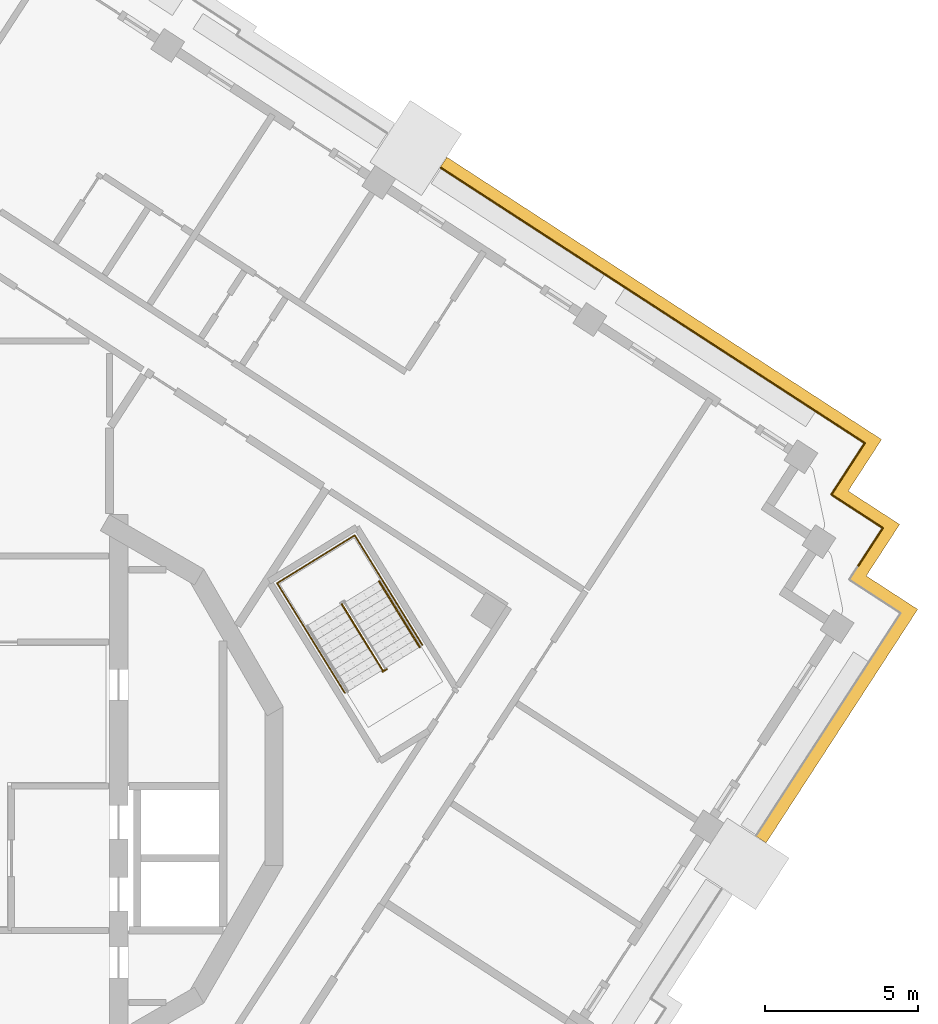
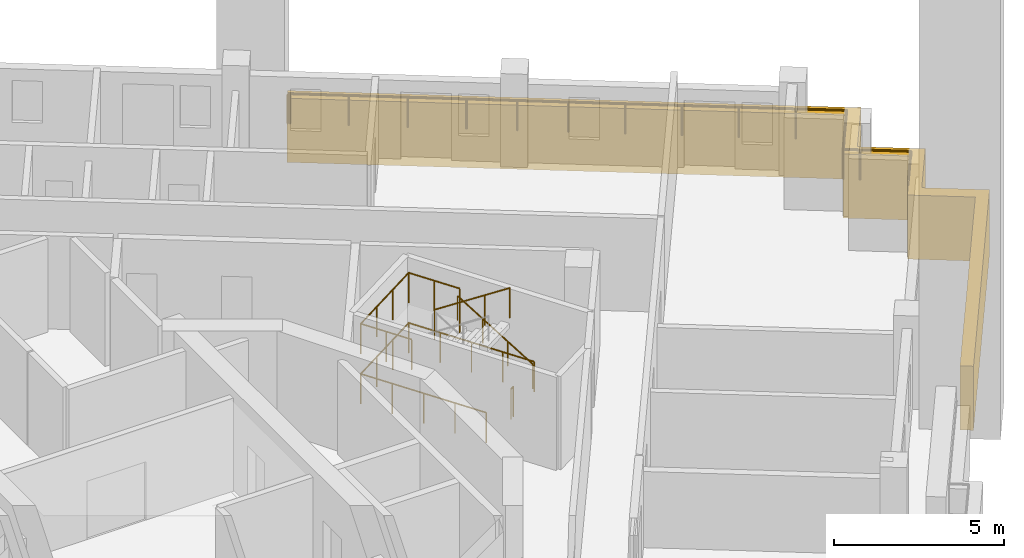
# One storey, part 13 of 15: 6 railings, 1 covering.
"""IFC4 building model written with IfcOpenShell, lengths in metres."""

from ifc_helpers import new_model, si_unit, direction, frame, origin, origin_2d, place, context, subcontext, project, spatial, polyline, circle, outline, extrude, material, type_object, element, save


model = new_model("IFC4")

# Units and contexts
model_context = context("Model", 3, precision=1e-05, world=origin(), true_north=direction((0.0, 1.0)))
body_context = subcontext(model_context, "Body", "Model", "MODEL_VIEW")
ifc_project = project(units=[si_unit("LENGTHUNIT", "METRE"), si_unit("AREAUNIT", "SQUARE_METRE"), si_unit("VOLUMEUNIT", "CUBIC_METRE"), si_unit("PLANEANGLEUNIT", "RADIAN"), si_unit("MASSUNIT", "GRAM", prefix="KILO")], contexts=[model_context])

# Site, building, storey
site_placement = place(None, origin())
site = spatial("IfcSite", under=ifc_project, at=site_placement, CompositionType="ELEMENT")
building_placement = place(site_placement, origin())
building = spatial("IfcBuilding", under=site, at=building_placement, Name="Cantera Rosa Tower", CompositionType="ELEMENT")
storey_placement = place(building_placement, frame((0.0, 0.0, 250.5)))
storey = spatial("IfcBuildingStorey", under=building, at=storey_placement, Name="L55", CompositionType="ELEMENT", Elevation=250.5)

# Railings
ifc_material_1 = material(Name="Stainless steel and laminated glass", Category="steel")
railing_type_1 = type_object("IfcRailingType", Name="GUARD 1100", PredefinedType="BALUSTRADE", material=ifc_material_1)
railing_1_placement = place(storey_placement, frame((14.7880859375, 20.14599609375, 0.0)))
element("IfcRailing", 1, at=railing_1_placement, inside=storey, type_object=railing_type_1, Name="GUARD L55-8", PredefinedType="BALUSTRADE", context=body_context, shape_type="SweptSolid", body=[
    extrude(circle(Radius=0.030029296875, at=origin_2d()), frame((0.0, 0.0, 1.070068359375), z_axis=(0.838443616301, -0.544988350595, 0.0), x_axis=(0.544988350595, 0.838443616301, 0.0)), (0.0, 0.0, 1.0), 0.06982421875),
    extrude(circle(Radius=0.030029296875, at=origin_2d()), frame((0.05859375, -0.0380859375, 1.070068359375), z_axis=(0.838657010828, -0.544659910576, 0.0), x_axis=(0.544659910576, 0.838657010828, 0.0)), (0.0, 0.0, 1.0), 5.2001953125),
    extrude(circle(Radius=0.030029296875, at=origin_2d()), frame((4.419677734375, -2.870361328125, 1.070068359375), z_axis=(0.8387001057, -0.544593548161, 0.0), x_axis=(0.544593548161, 0.8387001057, 0.0)), (0.0, 0.0, 1.0), 3.0),
    extrude(circle(Radius=0.030029296875, at=origin_2d()), frame((6.935791015625, -4.504150390625, 1.070068359375), z_axis=(0.838666659313, -0.544645053734, 0.0), x_axis=(0.544645053734, 0.838666659313, 0.0)), (0.0, 0.0, 1.0), 6.7001953125),
    extrude(circle(Radius=0.030029296875, at=origin_2d()), frame((12.554931640625, -8.1533203125, 1.070068359375), z_axis=(0.838651824232, -0.544667896716, 0.0), x_axis=(0.544667896716, 0.838651824232, 0.0)), (0.0, 0.0, 1.0), 1.499755859375),
    extrude(circle(Radius=0.030029296875, at=origin_2d()), frame((13.812744140625, -8.97021484375, 1.070068359375), z_axis=(-0.544593548161, -0.8387001057, 0.0), x_axis=(0.8387001057, -0.544593548161, 0.0)), (0.0, 0.0, 1.0), 1.5),
    extrude(circle(Radius=0.030029296875, at=origin_2d()), frame((12.995849609375, -10.228271484375, 1.070068359375), z_axis=(-0.544627753175, -0.83867789435, 0.0), x_axis=(0.83867789435, -0.544627753175, 0.0)), (0.0, 0.0, 1.0), 0.499755859375),
    extrude(circle(Radius=0.030029296875, at=origin_2d()), frame((12.7236328125, -10.6474609375, 1.070068359375), z_axis=(0.838454772945, -0.544971186143, 0.0), x_axis=(0.544971186143, 0.838454772945, 0.0)), (0.0, 0.0, 1.0), 0.5),
    extrude(circle(Radius=0.030029296875, at=origin_2d()), frame((13.142822265625, -10.919921875, 1.070068359375), z_axis=(0.8387001057, -0.544593548161, 0.0), x_axis=(0.544593548161, 0.8387001057, 0.0)), (0.0, 0.0, 1.0), 1.5),
    extrude(circle(Radius=0.030029296875, at=origin_2d()), frame((14.40087890625, -11.73681640625, 1.070068359375), z_axis=(-0.544593548161, -0.8387001057, 0.0), x_axis=(0.8387001057, -0.544593548161, 0.0)), (0.0, 0.0, 1.0), 1.5),
    extrude(circle(Radius=0.02490234375, at=origin_2d()), origin(), (0.0, 0.0, 1.0), 1.0400390625),
    extrude(circle(Radius=0.02490234375, at=origin_2d()), frame((0.05859375, -0.0380859375, 0.0)), (0.0, 0.0, 1.0), 1.0400390625),
    extrude(circle(Radius=0.02490234375, at=origin_2d()), frame((1.51220703125, -0.982177734375, 0.0)), (0.0, 0.0, 1.0), 1.0400390625),
    extrude(circle(Radius=0.02490234375, at=origin_2d()), frame((2.966064453125, -1.92626953125, 0.0)), (0.0, 0.0, 1.0), 1.0400390625),
    extrude(circle(Radius=0.02490234375, at=origin_2d()), frame((4.419677734375, -2.870361328125, 0.0)), (0.0, 0.0, 1.0), 1.0400390625),
    extrude(circle(Radius=0.02490234375, at=origin_2d()), frame((5.677734375, -3.687255859375, 0.0)), (0.0, 0.0, 1.0), 1.0400390625),
    extrude(circle(Radius=0.02490234375, at=origin_2d()), frame((6.935791015625, -4.504150390625, 0.0)), (0.0, 0.0, 1.0), 1.0400390625),
    extrude(circle(Radius=0.02490234375, at=origin_2d()), frame((8.340576171875, -5.41650390625, 0.0)), (0.0, 0.0, 1.0), 1.0400390625),
    extrude(circle(Radius=0.02490234375, at=origin_2d()), frame((9.745361328125, -6.32861328125, 0.0)), (0.0, 0.0, 1.0), 1.0400390625),
    extrude(circle(Radius=0.02490234375, at=origin_2d()), frame((11.150146484375, -7.240966796875, 0.0)), (0.0, 0.0, 1.0), 1.0400390625),
    extrude(circle(Radius=0.02490234375, at=origin_2d()), frame((12.554931640625, -8.1533203125, 0.0)), (0.0, 0.0, 1.0), 1.0400390625),
    extrude(circle(Radius=0.02490234375, at=origin_2d()), frame((13.812744140625, -8.97021484375, 0.0)), (0.0, 0.0, 1.0), 1.0400390625),
    extrude(circle(Radius=0.02490234375, at=origin_2d()), frame((12.995849609375, -10.228271484375, 0.0)), (0.0, 0.0, 1.0), 1.0400390625),
    extrude(circle(Radius=0.02490234375, at=origin_2d()), frame((12.7236328125, -10.6474609375, 0.0)), (0.0, 0.0, 1.0), 1.0400390625),
    extrude(circle(Radius=0.02490234375, at=origin_2d()), frame((13.142822265625, -10.919921875, 0.0)), (0.0, 0.0, 1.0), 1.0400390625),
    extrude(circle(Radius=0.02490234375, at=origin_2d()), frame((14.40087890625, -11.73681640625, 0.0)), (0.0, 0.0, 1.0), 1.0400390625),
    extrude(circle(Radius=0.02490234375, at=origin_2d()), frame((13.583984375, -12.994873046875, 0.0)), (0.0, 0.0, 1.0), 1.0400390625),
])
ifc_material_2 = material(Name="Steel S355J2 (EN 10025-2)", Category="steel")
railing_type_2 = type_object("IfcRailingType", Name="STAIR GUARD 1100", PredefinedType="GUARDRAIL", material=ifc_material_2)
railing_2_placement = place(storey_placement, frame((11.5703125, 5.927490234375, 1.97998046875)))
element("IfcRailing", 2, at=railing_2_placement, inside=storey, type_object=railing_type_2, Name="L55 ST-51 stair guard 2", PredefinedType="GUARDRAIL", context=body_context, shape_type="SweptSolid", body=[
    extrude(circle(Radius=0.02392578125, at=origin_2d()), frame((0.0, 0.0, 1.076171875), z_axis=(0.441609067481, -0.715913574058, 0.540785711718), x_axis=(0.851102330005, 0.524999832248, 0.0)), (0.0, 0.0, 1.0), 2.995849609375),
    extrude(circle(Radius=0.02099609375, at=origin_2d()), origin(), (0.0, 0.0, 1.0), 1.052001953125),
    extrude(circle(Radius=0.02099609375, at=origin_2d()), frame((0.44091796875, -0.71484375, 0.5400390625)), (0.0, 0.0, 1.0), 1.052001953125),
    extrude(circle(Radius=0.02099609375, at=origin_2d()), frame((0.882080078125, -1.429931640625, 1.080078125)), (0.0, 0.0, 1.0), 1.052001953125),
    extrude(circle(Radius=0.02099609375, at=origin_2d()), frame((1.322998046875, -2.144775390625, 1.6201171875)), (0.0, 0.0, 1.0), 1.052001953125),
])
railing_3_placement = place(storey_placement, frame((13.025146484375, 3.80517578125, 0.0)))
element("IfcRailing", 3, at=railing_3_placement, inside=storey, type_object=railing_type_2, Name="L55 ST-51 stair guard 3", PredefinedType="GUARDRAIL", context=body_context, shape_type="SweptSolid", body=[
    extrude(circle(Radius=0.02392578125, at=origin_2d()), frame((0.0, 0.0, 1.076171875), z_axis=(-0.851546489876, -0.524279100842, 0.0), x_axis=(0.524279100842, -0.851546489876, 0.0)), (0.0, 0.0, 1.0), 0.14990234375),
    extrude(circle(Radius=0.02099609375, at=origin_2d()), origin(), (0.0, 0.0, 1.0), 1.052001953125),
    extrude(circle(Radius=0.02099609375, at=origin_2d()), frame((-0.127685546875, -0.07861328125, 0.0)), (0.0, 0.0, 1.0), 1.052001953125),
])
railing_4_placement = place(storey_placement, frame((14.192626953125, 4.59814453125, 0.0)))
element("IfcRailing", 4, at=railing_4_placement, inside=storey, type_object=railing_type_2, Name="L55 ST-51 stair guard 4", PredefinedType="GUARDRAIL", context=body_context, shape_type="SweptSolid", body=[
    extrude(circle(Radius=0.02392578125, at=origin_2d()), frame((0.0, 0.0, 1.076171875), z_axis=(-0.524976478809, 0.851116735059, 0.0), x_axis=(-0.851116735059, -0.524976478809, 0.0)), (0.0, 0.0, 1.0), 4.197998046875),
    extrude(circle(Radius=0.02392578125, at=origin_2d()), frame((-2.203857421875, 3.572998046875, 1.076171875), z_axis=(-0.851132917336, -0.524950242429, 0.0), x_axis=(0.524950242429, -0.851132917336, 0.0)), (0.0, 0.0, 1.0), 2.969970703125),
    extrude(circle(Radius=0.02392578125, at=origin_2d()), frame((-4.731689453125, 2.013916015625, 1.076171875), z_axis=(0.524976478809, -0.851116735059, 0.0), x_axis=(0.851116735059, 0.524976478809, 0.0)), (0.0, 0.0, 1.0), 4.197998046875),
    extrude(circle(Radius=0.02099609375, at=origin_2d()), origin(), (0.0, 0.0, 1.0), 1.052001953125),
    extrude(circle(Radius=0.02099609375, at=origin_2d()), frame((-0.551025390625, 0.893310546875, 0.0)), (0.0, 0.0, 1.0), 1.052001953125),
    extrude(circle(Radius=0.02099609375, at=origin_2d()), frame((-1.10205078125, 1.78662109375, 0.0)), (0.0, 0.0, 1.0), 1.052001953125),
    extrude(circle(Radius=0.02099609375, at=origin_2d()), frame((-1.65283203125, 2.6796875, 0.0)), (0.0, 0.0, 1.0), 1.052001953125),
    extrude(circle(Radius=0.02099609375, at=origin_2d()), frame((-2.203857421875, 3.572998046875, 0.0)), (0.0, 0.0, 1.0), 1.052001953125),
    extrude(circle(Radius=0.02099609375, at=origin_2d()), frame((-3.04638671875, 3.05322265625, 0.0)), (0.0, 0.0, 1.0), 1.052001953125),
    extrude(circle(Radius=0.02099609375, at=origin_2d()), frame((-3.88916015625, 2.53369140625, 0.0)), (0.0, 0.0, 1.0), 1.052001953125),
    extrude(circle(Radius=0.02099609375, at=origin_2d()), frame((-4.731689453125, 2.013916015625, 0.0)), (0.0, 0.0, 1.0), 1.052001953125),
    extrude(circle(Radius=0.02099609375, at=origin_2d()), frame((-4.1806640625, 1.12060546875, 0.0)), (0.0, 0.0, 1.0), 1.052001953125),
    extrude(circle(Radius=0.02099609375, at=origin_2d()), frame((-3.6298828125, 0.2275390625, 0.0)), (0.0, 0.0, 1.0), 1.052001953125),
    extrude(circle(Radius=0.02099609375, at=origin_2d()), frame((-3.078857421875, -0.665771484375, 0.0)), (0.0, 0.0, 1.0), 1.052001953125),
    extrude(circle(Radius=0.02099609375, at=origin_2d()), frame((-2.52783203125, -1.55908203125, 0.0)), (0.0, 0.0, 1.0), 1.052001953125),
])
railing_5_placement = place(storey_placement, frame((12.88232421875, 6.72265625, 1.800048828125)))
element("IfcRailing", 5, at=railing_5_placement, inside=storey, type_object=railing_type_2, Name="L55 ST-51 stair guard 5", PredefinedType="GUARDRAIL", context=body_context, shape_type="SweptSolid", body=[
    extrude(circle(Radius=0.02392578125, at=origin_2d()), frame((0.0, 0.0, 1.076171875), z_axis=(-0.525025534833, 0.851086474909, 0.0), x_axis=(-0.851086474909, -0.525025534833, 0.0)), (0.0, 0.0, 1.0), 1.701904296875),
    extrude(circle(Radius=0.02392578125, at=origin_2d()), frame((-0.8935546875, 1.448486328125, 1.076171875), z_axis=(-0.851132917336, -0.524950242429, 0.0), x_axis=(0.524950242429, -0.851132917336, 0.0)), (0.0, 0.0, 1.0), 2.969970703125),
    extrude(circle(Radius=0.02392578125, at=origin_2d()), frame((-3.42138671875, -0.110595703125, 1.076171875), z_axis=(0.524961441845, -0.851126009811, 0.0), x_axis=(0.851126009811, 0.524961441845, 0.0)), (0.0, 0.0, 1.0), 1.7021484375),
    extrude(circle(Radius=0.02099609375, at=origin_2d()), origin(), (0.0, 0.0, 1.0), 1.052001953125),
    extrude(circle(Radius=0.02099609375, at=origin_2d()), frame((-0.44677734375, 0.72412109375, 0.0)), (0.0, 0.0, 1.0), 1.052001953125),
    extrude(circle(Radius=0.02099609375, at=origin_2d()), frame((-0.8935546875, 1.448486328125, 0.0)), (0.0, 0.0, 1.0), 1.052001953125),
    extrude(circle(Radius=0.02099609375, at=origin_2d()), frame((-1.736083984375, 0.9287109375, 0.0)), (0.0, 0.0, 1.0), 1.052001953125),
    extrude(circle(Radius=0.02099609375, at=origin_2d()), frame((-2.578857421875, 0.4091796875, 0.0)), (0.0, 0.0, 1.0), 1.052001953125),
    extrude(circle(Radius=0.02099609375, at=origin_2d()), frame((-3.42138671875, -0.110595703125, 0.0)), (0.0, 0.0, 1.0), 1.052001953125),
    extrude(circle(Radius=0.02099609375, at=origin_2d()), frame((-2.974609375, -0.8349609375, 0.0)), (0.0, 0.0, 1.0), 1.052001953125),
    extrude(circle(Radius=0.02099609375, at=origin_2d()), frame((-2.52783203125, -1.559326171875, 0.0)), (0.0, 0.0, 1.0), 1.052001953125),
])
ifc_material_3 = material(Name="Steel S355J2 (EN 10025-2)", Category="steel")
railing_type_3 = type_object("IfcRailingType", Name="STAIR HANDRAIL 900", PredefinedType="HANDRAIL", material=ifc_material_3)
railing_6_placement = place(storey_placement, frame((14.105224609375, 4.5302734375, 0.179931640625)))
element("IfcRailing", 6, at=railing_6_placement, inside=storey, type_object=railing_type_3, Name="L55 ST-51 stair handrail 1", PredefinedType="HANDRAIL", context=body_context, shape_type="SweptSolid", body=[
    extrude(circle(Radius=0.02392578125, at=origin_2d()), frame((0.0, 0.0, 0.8759765625), z_axis=(-0.441609067481, 0.715913574058, 0.540785711718), x_axis=(-0.851102330005, -0.524999832248, 0.0)), (0.0, 0.0, 1.0), 2.995849609375),
    extrude(circle(Radius=0.02099609375, at=origin_2d()), origin(), (0.0, 0.0, 1.0), 0.851806640625),
    extrude(circle(Radius=0.02099609375, at=origin_2d()), frame((-0.44091796875, 0.71484375, 0.5400390625)), (0.0, 0.0, 1.0), 0.851806640625),
    extrude(circle(Radius=0.02099609375, at=origin_2d()), frame((-0.882080078125, 1.429931640625, 1.080078125)), (0.0, 0.0, 1.0), 0.851806640625),
    extrude(circle(Radius=0.02099609375, at=origin_2d()), frame((-1.322998046875, 2.144775390625, 1.6201171875)), (0.0, 0.0, 1.0), 0.851806640625),
])

# Covering
ifc_material_4 = material(Name="Cantera stone", Category="masonry")
covering_type = type_object("IfcCoveringType", Name="TRAY FASCIA 400", PredefinedType="CLADDING", material=ifc_material_4)
covering_placement = place(storey_placement, frame((0.0, 0.0, -1.39990234375)))
element("IfcCovering", 7, at=covering_placement, inside=storey, type_object=covering_type, Name="TRAY FASCIA L55-04", PredefinedType="CLADDING", context=body_context, shape_type="SweptSolid", body=[
    extrude(outline(polyline([(15.064697265625, 20.443359375), (19.42578125, 17.611328125), (21.941650390625, 15.977294921875), (27.560791015625, 12.328125), (29.154296875, 11.29345703125), (28.119384765625, 9.699951171875), (28.06494140625, 9.615966796875), (28.14892578125, 9.5615234375), (29.742431640625, 8.52685546875), (28.70751953125, 6.933349609375), (28.653076171875, 6.849365234375), (28.73681640625, 6.794921875), (30.330322265625, 5.76025390625), (29.295654296875, 4.166748046875), (25.877685546875, -1.099609375), (25.39208984375, -1.84765625), (25.056640625, -1.629638671875), (25.542236328125, -0.8818359375), (25.540771484375, -0.880859375), (28.960205078125, 4.384521484375), (29.777099609375, 5.642578125), (28.51904296875, 6.45947265625), (28.099853515625, 6.73193359375), (28.3720703125, 7.151123046875), (29.18896484375, 8.4091796875), (27.930908203125, 9.22607421875), (27.51171875, 9.49853515625), (27.783935546875, 9.917724609375), (28.600830078125, 11.17578125), (27.343017578125, 11.99267578125), (21.723876953125, 15.641845703125), (19.207763671875, 17.275634765625), (14.8466796875, 20.10791015625), (14.771240234375, 20.156982421875), (14.989013671875, 20.492431640625), (15.064697265625, 20.443359375)])), origin(), (0.0, 0.0, 1.0), 2.2998046875),
])

save(model, "model.ifc")
